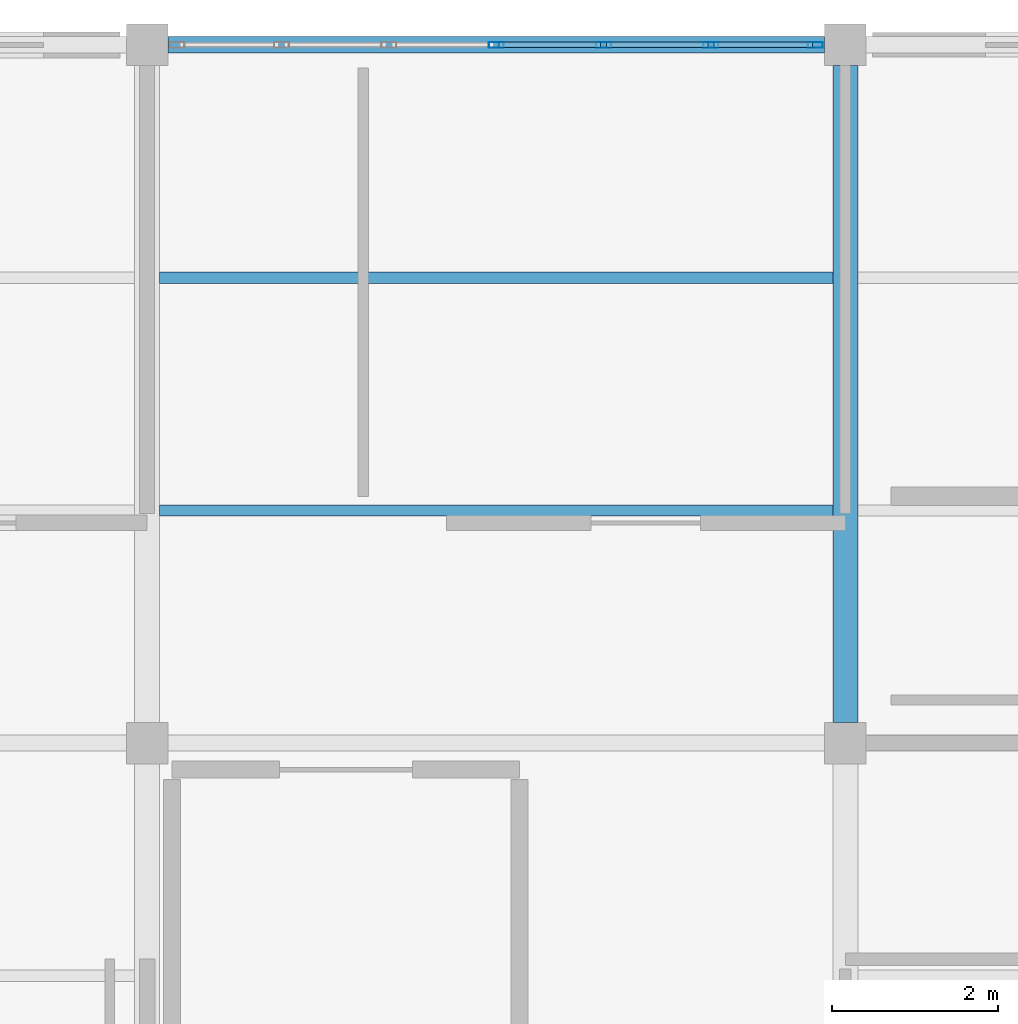
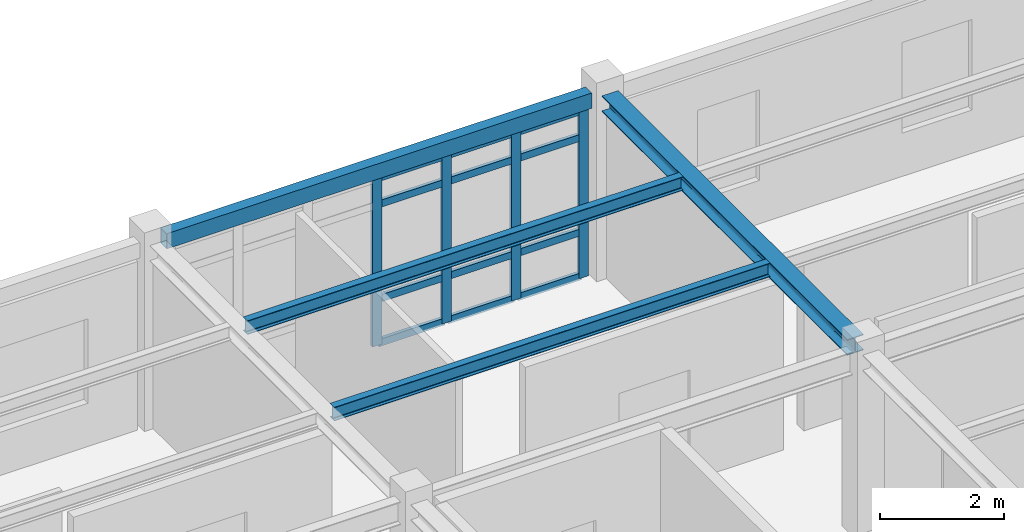
# One storey, part 36 of 70: 16 members, 4 beams, 1 element without a shape of its own.
"""IFC4 building model written with IfcOpenShell, lengths in metres."""

from ifc_helpers import new_model, si_unit, direction, frame, origin, origin_2d, place, context, subcontext, project, spatial, hollow_rectangle, i_section, extrude, material, layer, layer_set, material_profile, profile_set, type_object, element, aggregate, save


model = new_model("IFC4")

# Units and contexts
model_context = context("Model", 3, precision=1e-05, world=origin(), true_north=direction((0.0, 1.0)))
body_context = subcontext(model_context, "Body", "Model", "MODEL_VIEW")
ifc_project = project(units=[si_unit("LENGTHUNIT", "METRE"), si_unit("AREAUNIT", "SQUARE_METRE"), si_unit("VOLUMEUNIT", "CUBIC_METRE"), si_unit("PLANEANGLEUNIT", "RADIAN"), si_unit("MASSUNIT", "GRAM", prefix="KILO")], contexts=[model_context])

# Site, building, storey
site_placement = place(None, origin())
site = spatial("IfcSite", under=ifc_project, at=site_placement, CompositionType="ELEMENT")
building_placement = place(site_placement, origin())
building = spatial("IfcBuilding", under=site, at=building_placement, Name="Bramfleet General Hospital", CompositionType="ELEMENT")
storey_placement = place(building_placement, frame((0.0, 0.0, 22.5)))
storey = spatial("IfcBuildingStorey", under=building, at=storey_placement, Name="L05", CompositionType="ELEMENT", Elevation=22.5)

# Beams
ifc_material_1 = material(Name="Steel S355", Category="steel")
ifc_material_profile_1 = material_profile(ifc_material_1, i_section(OverallWidth=0.300048828125, OverallDepth=0.31005859375, WebThickness=0.009033203125, FlangeThickness=0.015380859375, FilletRadius=0.027099609375, at=origin_2d()), Name="HEA 320")
ifc_profile_set_1 = profile_set([ifc_material_profile_1], Name="Steel S355")
beam_type_1 = type_object("IfcBeamType", Name="BM-HEA320", PredefinedType="BEAM", material=ifc_profile_set_1)
beam_1_placement = place(storey_placement, frame((142.800048828125, 109.449951171875, 3.465087890625), z_axis=(0.0, 1.0, 0.0), x_axis=(-1.0, 0.0, 0.0)))
element("IfcBeam", 1, at=beam_1_placement, inside=storey, type_object=beam_type_1, Name="L05 Grid Beam Y 17-13", PredefinedType="BEAM", context=body_context, shape_type="SweptSolid", body=[
    extrude(i_section(OverallWidth=0.300048828125, OverallDepth=0.31005859375, WebThickness=0.009033203125, FlangeThickness=0.015380859375, FilletRadius=0.027099609375, at=origin_2d()), origin(), (0.0, 0.0, 1.0), 7.900146484375),
])
ifc_material_profile_2 = material_profile(ifc_material_1, i_section(OverallWidth=0.135009765625, OverallDepth=0.27001953125, WebThickness=0.006591796875, FlangeThickness=0.01025390625, FilletRadius=0.014892578125, at=origin_2d()), Name="IPE 270")
ifc_profile_set_2 = profile_set([ifc_material_profile_2], Name="Steel S355")
beam_type_2 = type_object("IfcBeamType", Name="BM-IPE270", PredefinedType="JOIST", material=ifc_profile_set_2)
for number, where, z_axis, x_axis, name in (
    (2, (134.550048828125, 112.0, 3.485107421875), (1.0, 0.0, 0.0), (0.0, 1.0, 0.0), "L05 Secondary Joist 16-13-1"),
    (3, (134.550048828125, 114.800048828125, 3.485107421875), (1.0, 0.0, 0.0), (0.0, 1.0, 0.0), "L05 Secondary Joist 16-13-2"),
):
    element("IfcBeam", number, at=place(storey_placement, frame(where, z_axis=z_axis, x_axis=x_axis)), inside=storey, type_object=beam_type_2, Name=name, PredefinedType="JOIST", context=body_context, shape_type="SweptSolid", body=[
        extrude(i_section(OverallWidth=0.135009765625, OverallDepth=0.27001953125, WebThickness=0.006591796875, FlangeThickness=0.01025390625, FilletRadius=0.014892578125, at=origin_2d()), origin(), (0.0, 0.0, 1.0), 8.099853515625),
    ])
ifc_material_profile_3 = material_profile(ifc_material_1, hollow_rectangle(XDim=0.199951171875, YDim=0.300048828125, WallThickness=0.012451171875, at=origin_2d()), Name="RHS 300x200x12.5")
ifc_profile_set_3 = profile_set([ifc_material_profile_3], Name="Steel S355")
beam_type_3 = type_object("IfcBeamType", Name="BM-RHS300", PredefinedType="SPANDREL", material=ifc_profile_set_3)
beam_2_placement = place(storey_placement, frame((134.64990234375, 117.60009765625, 3.469970703125), z_axis=(1.0, 0.0, 0.0), x_axis=(0.0, 1.0, 0.0)))
element("IfcBeam", 4, at=beam_2_placement, inside=storey, type_object=beam_type_3, Name="L05 Grid Beam X 16-14", PredefinedType="SPANDREL", context=body_context, shape_type="SweptSolid", body=[
    extrude(hollow_rectangle(XDim=0.199951171875, YDim=0.300048828125, WallThickness=0.012451171875, at=origin_2d()), origin(), (0.0, 0.0, 1.0), 7.900146484375),
])

# Curtain wall, members
ifc_material_2 = material(Name="Anodised aluminium and low-E triple glazing", Category="aluminium")
ifc_layer = layer(ifc_material_2, 0.179931640625, Name="CWT-CW-06")
ifc_layer_set = layer_set([ifc_layer], Name="Anodised aluminium and low-E triple glazing")
curtain_wall_type = type_object("IfcCurtainWallType", Name="CWT-CW-06", PredefinedType="USERDEFINED", material=ifc_layer_set)
curtain_wall_placement = place(storey_placement, origin())
curtain_wall = element("IfcCurtainWall", 5, at=curtain_wall_placement, inside=storey, type_object=curtain_wall_type, Name="L05 Curtain Wall 204", ObjectType="Unitised curtain wall", PredefinedType="USERDEFINED")
ifc_material_3 = material(Name="Anodised aluminium EN AW-6060", Category="aluminium")
ifc_material_profile_4 = material_profile(ifc_material_3, hollow_rectangle(XDim=0.070068359375, YDim=0.179931640625, WallThickness=0.00390625, at=origin_2d()), Name="ALU 180x70x4.0")
ifc_profile_set_4 = profile_set([ifc_material_profile_4], Name="Anodised aluminium EN AW-6060")
member_type_1 = type_object("IfcMemberType", Name="CWM-ALU180", PredefinedType="MULLION", material=ifc_profile_set_4)
member_1_placement = place(storey_placement, frame((138.60009765625, 117.60009765625, 0.0), z_axis=(0.0, 0.0, 1.0), x_axis=(0.0, 1.0, 0.0)))
member_1 = element("IfcMember", 6, at=member_1_placement, type_object=member_type_1, Name="CW-06 mullion 4", PredefinedType="MULLION", context=body_context, shape_type="SweptSolid", body=[
    extrude(hollow_rectangle(XDim=0.070068359375, YDim=0.179931640625, WallThickness=0.00390625, at=origin_2d()), origin(), (0.0, 0.0, 1.0), 3.31005859375),
])
member_2_placement = place(storey_placement, frame((139.8916015625, 117.60009765625, 0.0), z_axis=(0.0, 0.0, 1.0), x_axis=(0.0, 1.0, 0.0)))
member_2 = element("IfcMember", 7, at=member_2_placement, type_object=member_type_1, Name="CW-06 mullion 5", PredefinedType="MULLION", context=body_context, shape_type="SweptSolid", body=[
    extrude(hollow_rectangle(XDim=0.070068359375, YDim=0.179931640625, WallThickness=0.00390625, at=origin_2d()), origin(), (0.0, 0.0, 1.0), 3.31005859375),
])
member_3_placement = place(storey_placement, frame((141.183349609375, 117.60009765625, 0.0), z_axis=(0.0, 0.0, 1.0), x_axis=(0.0, 1.0, 0.0)))
member_3 = element("IfcMember", 8, at=member_3_placement, type_object=member_type_1, Name="CW-06 mullion 6", PredefinedType="MULLION", context=body_context, shape_type="SweptSolid", body=[
    extrude(hollow_rectangle(XDim=0.070068359375, YDim=0.179931640625, WallThickness=0.00390625, at=origin_2d()), origin(), (0.0, 0.0, 1.0), 3.31005859375),
])
member_4_placement = place(storey_placement, frame((142.43994140625, 117.60009765625, 0.0), z_axis=(0.0, 0.0, 1.0), x_axis=(0.0, 1.0, 0.0)))
member_4 = element("IfcMember", 9, at=member_4_placement, type_object=member_type_1, Name="CW-06 mullion 7", PredefinedType="MULLION", context=body_context, shape_type="SweptSolid", body=[
    extrude(hollow_rectangle(XDim=0.070068359375, YDim=0.179931640625, WallThickness=0.00390625, at=origin_2d()), origin(), (0.0, 0.0, 1.0), 3.31005859375),
])
ifc_material_profile_5 = material_profile(ifc_material_3, hollow_rectangle(XDim=0.06494140625, YDim=0.139892578125, WallThickness=0.00390625, at=origin_2d()), Name="ALU 140x65x4.0")
ifc_profile_set_5 = profile_set([ifc_material_profile_5], Name="Anodised aluminium EN AW-6060")
member_type_2 = type_object("IfcMemberType", Name="CWT-ALU140", PredefinedType="USERDEFINED", material=ifc_profile_set_5)
member_5_placement = place(storey_placement, frame((138.635009765625, 117.60009765625, 0.032470703125), z_axis=(1.0, 0.0, 0.0), x_axis=(0.0, 1.0, 0.0)))
member_5 = element("IfcMember", 10, at=member_5_placement, type_object=member_type_2, Name="CW-06 transom 4.1", ObjectType="TRANSOM", PredefinedType="USERDEFINED", context=body_context, shape_type="SweptSolid", body=[
    extrude(hollow_rectangle(XDim=0.06494140625, YDim=0.139892578125, WallThickness=0.00390625, at=origin_2d()), origin(), (0.0, 0.0, 1.0), 1.2216796875),
])
member_6_placement = place(storey_placement, frame((138.635009765625, 117.60009765625, 0.89990234375), z_axis=(1.0, 0.0, 0.0), x_axis=(0.0, 1.0, 0.0)))
member_6 = element("IfcMember", 11, at=member_6_placement, type_object=member_type_2, Name="CW-06 transom 4.2", ObjectType="TRANSOM", PredefinedType="USERDEFINED", context=body_context, shape_type="SweptSolid", body=[
    extrude(hollow_rectangle(XDim=0.06494140625, YDim=0.139892578125, WallThickness=0.00390625, at=origin_2d()), origin(), (0.0, 0.0, 1.0), 1.2216796875),
])
member_7_placement = place(storey_placement, frame((138.635009765625, 117.60009765625, 2.760009765625), z_axis=(1.0, 0.0, 0.0), x_axis=(0.0, 1.0, 0.0)))
member_7 = element("IfcMember", 12, at=member_7_placement, type_object=member_type_2, Name="CW-06 transom 4.3", ObjectType="TRANSOM", PredefinedType="USERDEFINED", context=body_context, shape_type="SweptSolid", body=[
    extrude(hollow_rectangle(XDim=0.06494140625, YDim=0.139892578125, WallThickness=0.00390625, at=origin_2d()), origin(), (0.0, 0.0, 1.0), 1.2216796875),
])
member_8_placement = place(storey_placement, frame((138.635009765625, 117.60009765625, 3.277587890625), z_axis=(1.0, 0.0, 0.0), x_axis=(0.0, 1.0, 0.0)))
member_8 = element("IfcMember", 13, at=member_8_placement, type_object=member_type_2, Name="CW-06 transom 4.4", ObjectType="TRANSOM", PredefinedType="USERDEFINED", context=body_context, shape_type="SweptSolid", body=[
    extrude(hollow_rectangle(XDim=0.06494140625, YDim=0.139892578125, WallThickness=0.00390625, at=origin_2d()), origin(), (0.0, 0.0, 1.0), 1.2216796875),
])
member_9_placement = place(storey_placement, frame((139.9267578125, 117.60009765625, 0.032470703125), z_axis=(1.0, 0.0, 0.0), x_axis=(0.0, 1.0, 0.0)))
member_9 = element("IfcMember", 14, at=member_9_placement, type_object=member_type_2, Name="CW-06 transom 5.1", ObjectType="TRANSOM", PredefinedType="USERDEFINED", context=body_context, shape_type="SweptSolid", body=[
    extrude(hollow_rectangle(XDim=0.06494140625, YDim=0.139892578125, WallThickness=0.00390625, at=origin_2d()), origin(), (0.0, 0.0, 1.0), 1.2216796875),
])
member_10_placement = place(storey_placement, frame((139.9267578125, 117.60009765625, 0.89990234375), z_axis=(1.0, 0.0, 0.0), x_axis=(0.0, 1.0, 0.0)))
member_10 = element("IfcMember", 15, at=member_10_placement, type_object=member_type_2, Name="CW-06 transom 5.2", ObjectType="TRANSOM", PredefinedType="USERDEFINED", context=body_context, shape_type="SweptSolid", body=[
    extrude(hollow_rectangle(XDim=0.06494140625, YDim=0.139892578125, WallThickness=0.00390625, at=origin_2d()), origin(), (0.0, 0.0, 1.0), 1.2216796875),
])
member_11_placement = place(storey_placement, frame((139.9267578125, 117.60009765625, 2.760009765625), z_axis=(1.0, 0.0, 0.0), x_axis=(0.0, 1.0, 0.0)))
member_11 = element("IfcMember", 16, at=member_11_placement, type_object=member_type_2, Name="CW-06 transom 5.3", ObjectType="TRANSOM", PredefinedType="USERDEFINED", context=body_context, shape_type="SweptSolid", body=[
    extrude(hollow_rectangle(XDim=0.06494140625, YDim=0.139892578125, WallThickness=0.00390625, at=origin_2d()), origin(), (0.0, 0.0, 1.0), 1.2216796875),
])
member_12_placement = place(storey_placement, frame((139.9267578125, 117.60009765625, 3.277587890625), z_axis=(1.0, 0.0, 0.0), x_axis=(0.0, 1.0, 0.0)))
member_12 = element("IfcMember", 17, at=member_12_placement, type_object=member_type_2, Name="CW-06 transom 5.4", ObjectType="TRANSOM", PredefinedType="USERDEFINED", context=body_context, shape_type="SweptSolid", body=[
    extrude(hollow_rectangle(XDim=0.06494140625, YDim=0.139892578125, WallThickness=0.00390625, at=origin_2d()), origin(), (0.0, 0.0, 1.0), 1.2216796875),
])
member_13_placement = place(storey_placement, frame((141.21826171875, 117.60009765625, 0.032470703125), z_axis=(1.0, 0.0, 0.0), x_axis=(0.0, 1.0, 0.0)))
member_13 = element("IfcMember", 18, at=member_13_placement, type_object=member_type_2, Name="CW-06 transom 6.1", ObjectType="TRANSOM", PredefinedType="USERDEFINED", context=body_context, shape_type="SweptSolid", body=[
    extrude(hollow_rectangle(XDim=0.06494140625, YDim=0.139892578125, WallThickness=0.00390625, at=origin_2d()), origin(), (0.0, 0.0, 1.0), 1.186767578125),
])
member_14_placement = place(storey_placement, frame((141.21826171875, 117.60009765625, 0.89990234375), z_axis=(1.0, 0.0, 0.0), x_axis=(0.0, 1.0, 0.0)))
member_14 = element("IfcMember", 19, at=member_14_placement, type_object=member_type_2, Name="CW-06 transom 6.2", ObjectType="TRANSOM", PredefinedType="USERDEFINED", context=body_context, shape_type="SweptSolid", body=[
    extrude(hollow_rectangle(XDim=0.06494140625, YDim=0.139892578125, WallThickness=0.00390625, at=origin_2d()), origin(), (0.0, 0.0, 1.0), 1.186767578125),
])
member_15_placement = place(storey_placement, frame((141.21826171875, 117.60009765625, 2.760009765625), z_axis=(1.0, 0.0, 0.0), x_axis=(0.0, 1.0, 0.0)))
member_15 = element("IfcMember", 20, at=member_15_placement, type_object=member_type_2, Name="CW-06 transom 6.3", ObjectType="TRANSOM", PredefinedType="USERDEFINED", context=body_context, shape_type="SweptSolid", body=[
    extrude(hollow_rectangle(XDim=0.06494140625, YDim=0.139892578125, WallThickness=0.00390625, at=origin_2d()), origin(), (0.0, 0.0, 1.0), 1.186767578125),
])
member_16_placement = place(storey_placement, frame((141.21826171875, 117.60009765625, 3.277587890625), z_axis=(1.0, 0.0, 0.0), x_axis=(0.0, 1.0, 0.0)))
member_16 = element("IfcMember", 21, at=member_16_placement, type_object=member_type_2, Name="CW-06 transom 6.4", ObjectType="TRANSOM", PredefinedType="USERDEFINED", context=body_context, shape_type="SweptSolid", body=[
    extrude(hollow_rectangle(XDim=0.06494140625, YDim=0.139892578125, WallThickness=0.00390625, at=origin_2d()), origin(), (0.0, 0.0, 1.0), 1.186767578125),
])
aggregate(curtain_wall, [member_1, member_2, member_3, member_4, member_5, member_6, member_7, member_8, member_9, member_10, member_11, member_12, member_13, member_14, member_15, member_16])

save(model, "model.ifc")
